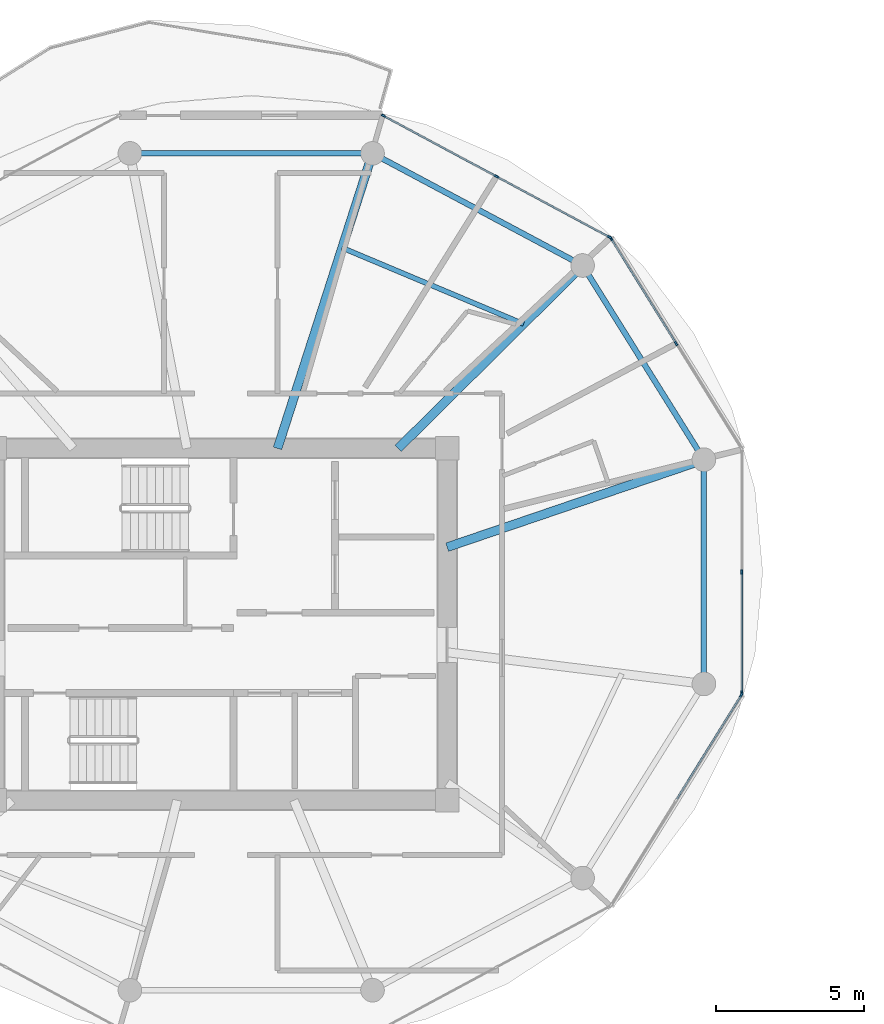
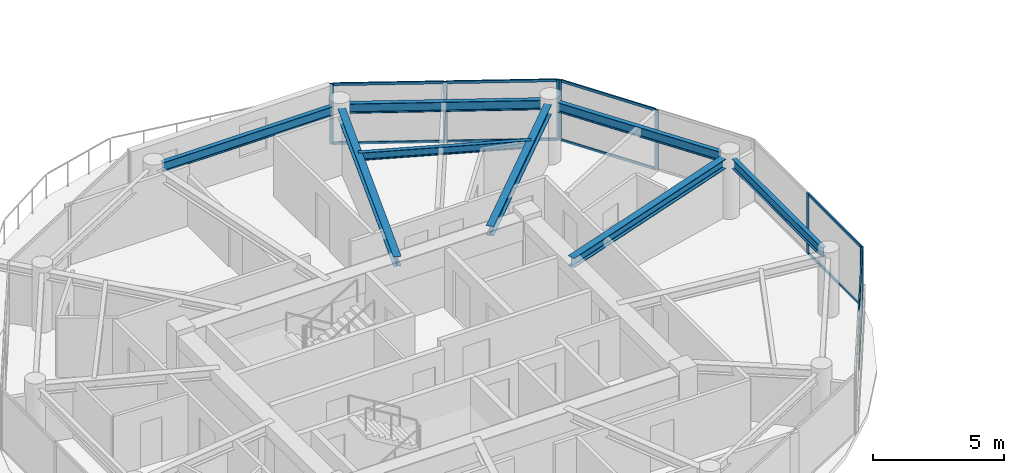
# One storey, part 5 of 24: 18 members, 8 beams, 4 elements without a shape of their own.
"""IFC4 building model written with IfcOpenShell, lengths in metres."""

from ifc_helpers import new_model, si_unit, direction, frame, origin, origin_2d, place, context, subcontext, project, spatial, rectangle, i_section, extrude, source, transform, mapped, material, layer, layer_set, material_profile, profile_set, type_object, type_shapes, element, aggregate, save


model = new_model("IFC4")

# Units and contexts
model_context = context("Model", 3, precision=1e-05, world=origin(), true_north=direction((0.0, 1.0)))
body_context = subcontext(model_context, "Body", "Model", "MODEL_VIEW")
ifc_project = project(units=[si_unit("LENGTHUNIT", "METRE"), si_unit("AREAUNIT", "SQUARE_METRE"), si_unit("VOLUMEUNIT", "CUBIC_METRE"), si_unit("PLANEANGLEUNIT", "RADIAN"), si_unit("MASSUNIT", "GRAM", prefix="KILO")], contexts=[model_context])

# Site, building, storey
site_placement = place(None, origin())
site = spatial("IfcSite", under=ifc_project, at=site_placement, CompositionType="ELEMENT")
building_placement = place(site_placement, origin())
building = spatial("IfcBuilding", under=site, at=building_placement, Name="Norrkilde Senior Care Towers", CompositionType="ELEMENT")
storey_placement = place(building_placement, frame((0.0, 0.0, 155.64990234375)))
storey = spatial("IfcBuildingStorey", under=building, at=storey_placement, Name="L48", CompositionType="ELEMENT", Elevation=155.64990234375)

# Beams
ifc_material_1 = material(Name="Steel S355", Category="steel")
ifc_material_profile_1 = material_profile(ifc_material_1, i_section(OverallWidth=0.18994140625, OverallDepth=0.449951171875, WebThickness=0.009521484375, FlangeThickness=0.0146484375, FilletRadius=0.02099609375, at=origin_2d()), Name="IPE 450")
ifc_profile_set_1 = profile_set([ifc_material_profile_1], Name="Steel S355")
beam_type_1 = type_object("IfcBeamType", Name="Perimeter Ring Spandrel Z3 IPE450", PredefinedType="SPANDREL", material=ifc_profile_set_1)
shared_shape_1 = source(origin(), body_context, "Body", "SweptSolid", [
    extrude(i_section(OverallWidth=0.18994140625, OverallDepth=0.449951171875, WebThickness=0.009521484375, FlangeThickness=0.0146484375, FilletRadius=0.02099609375, at=origin_2d()), origin(), (0.0, 0.0, 1.0), 7.0234375),
])
beam_1_placement = place(storey_placement, frame((-11.855712890625, 5.872314453125, 2.585205078125), z_axis=(-0.529789577822, 0.848129119433, 0.0), x_axis=(-0.848129119433, -0.529789577822, 0.0)))
element("IfcBeam", 1, at=beam_1_placement, inside=storey, type_object=beam_type_1, Name="L48 Drum W Perimeter Spandrel 01", PredefinedType="SPANDREL", context=body_context, shape_type="MappedRepresentation", body=[
    mapped(shared_shape_1, transform((0.0, 0.0, 0.0), x_axis=(1.0, 0.0, 0.0), y_axis=(0.0, 1.0, 0.0), z_axis=(0.0, 0.0, 1.0), scale=1.0)),
])
ifc_material_profile_2 = material_profile(ifc_material_1, i_section(OverallWidth=0.300048828125, OverallDepth=0.449951171875, WebThickness=0.013916015625, FlangeThickness=0.02587890625, FilletRadius=0.027099609375, at=origin_2d()), Name="HEB 450")
ifc_profile_set_2 = profile_set([ifc_material_profile_2], Name="Steel S355")
beam_type_2 = type_object("IfcBeamType", Name="Radial Floor Beam Z3 HEB450", PredefinedType="BEAM", material=ifc_profile_set_2)
shared_shape_2 = source(origin(), body_context, "Body", "SweptSolid", [
    extrude(i_section(OverallWidth=0.300048828125, OverallDepth=0.449951171875, WebThickness=0.013916015625, FlangeThickness=0.02587890625, FilletRadius=0.027099609375, at=origin_2d()), origin(), (0.0, 0.0, 1.0), 8.8154296875),
])
beam_2_placement = place(storey_placement, frame((-20.35009765625, 2.607177734375, 2.585205078125), z_axis=(0.946540556878, 0.322584832539, 0.0), x_axis=(-0.322584832539, 0.946540556878, 0.0)))
element("IfcBeam", 2, at=beam_2_placement, inside=storey, type_object=beam_type_2, Name="L48 Drum W Radial Floor Beam 01", PredefinedType="BEAM", context=body_context, shape_type="MappedRepresentation", body=[
    mapped(shared_shape_2, transform((0.0, 0.0, 0.0), x_axis=(1.0, 0.0, 0.0), y_axis=(0.0, 1.0, 0.0), z_axis=(0.0, 0.0, 1.0), scale=1.0)),
])
shared_shape_3 = source(origin(), body_context, "Body", "SweptSolid", [
    extrude(i_section(OverallWidth=0.18994140625, OverallDepth=0.449951171875, WebThickness=0.009521484375, FlangeThickness=0.0146484375, FilletRadius=0.02099609375, at=origin_2d()), origin(), (0.0, 0.0, 1.0), 7.333740234375),
])
beam_3_placement = place(storey_placement, frame((-16.0849609375, 12.303955078125, 2.585205078125), z_axis=(-0.882247866069, 0.470785198172, 0.0), x_axis=(-0.470785198172, -0.882247866069, 0.0)))
element("IfcBeam", 3, at=beam_3_placement, inside=storey, type_object=beam_type_1, Name="L48 Drum W Perimeter Spandrel 02", PredefinedType="SPANDREL", context=body_context, shape_type="MappedRepresentation", body=[
    mapped(shared_shape_3, transform((0.0, 0.0, 0.0), x_axis=(1.0, 0.0, 0.0), y_axis=(0.0, 1.0, 0.0), z_axis=(0.0, 0.0, 1.0), scale=1.0)),
])
shared_shape_4 = source(origin(), body_context, "Body", "SweptSolid", [
    extrude(i_section(OverallWidth=0.300048828125, OverallDepth=0.449951171875, WebThickness=0.013916015625, FlangeThickness=0.02587890625, FilletRadius=0.027099609375, at=origin_2d()), origin(), (0.0, 0.0, 1.0), 8.421630859375),
])
beam_4_placement = place(storey_placement, frame((-22.001953125, 5.949951171875, 2.585205078125), z_axis=(0.709956495972, 0.704245535184, 0.0), x_axis=(-0.704245535184, 0.709956495972, 0.0)))
element("IfcBeam", 4, at=beam_4_placement, inside=storey, type_object=beam_type_2, Name="L48 Drum W Radial Floor Beam 02", PredefinedType="BEAM", context=body_context, shape_type="MappedRepresentation", body=[
    mapped(shared_shape_4, transform((0.0, 0.0, 0.0), x_axis=(1.0, 0.0, 0.0), y_axis=(0.0, 1.0, 0.0), z_axis=(0.0, 0.0, 1.0), scale=1.0)),
])
shared_shape_5 = source(origin(), body_context, "Body", "SweptSolid", [
    extrude(i_section(OverallWidth=0.18994140625, OverallDepth=0.449951171875, WebThickness=0.009521484375, FlangeThickness=0.0146484375, FilletRadius=0.02099609375, at=origin_2d()), origin(), (0.0, 0.0, 1.0), 7.484619140625),
])
beam_5_placement = place(storey_placement, frame((-23.232666015625, 15.92626953125, 2.585205078125), z_axis=(-1.0, 0.0, 0.0), x_axis=(0.0, -1.0, 0.0)))
element("IfcBeam", 5, at=beam_5_placement, inside=storey, type_object=beam_type_1, Name="L48 Drum W Perimeter Spandrel 03", PredefinedType="SPANDREL", context=body_context, shape_type="MappedRepresentation", body=[
    mapped(shared_shape_5, transform((0.0, 0.0, 0.0), x_axis=(1.0, 0.0, 0.0), y_axis=(0.0, 1.0, 0.0), z_axis=(0.0, 0.0, 1.0), scale=1.0)),
])
shared_shape_6 = source(origin(), body_context, "Body", "SweptSolid", [
    extrude(i_section(OverallWidth=0.300048828125, OverallDepth=0.449951171875, WebThickness=0.013916015625, FlangeThickness=0.02587890625, FilletRadius=0.027099609375, at=origin_2d()), origin(), (0.0, 0.0, 1.0), 10.120361328125),
])
type_shapes(beam_type_2, [shared_shape_2, shared_shape_4, shared_shape_6])
beam_6_placement = place(storey_placement, frame((-26.08447265625, 5.949951171875, 2.585205078125), z_axis=(0.306440973744, 0.951889662519, 0.0), x_axis=(-0.951889662519, 0.306440973744, 0.0)))
element("IfcBeam", 6, at=beam_6_placement, inside=storey, type_object=beam_type_2, Name="L48 Drum W Radial Floor Beam 03", PredefinedType="BEAM", context=body_context, shape_type="MappedRepresentation", body=[
    mapped(shared_shape_6, transform((0.0, 0.0, 0.0), x_axis=(1.0, 0.0, 0.0), y_axis=(0.0, 1.0, 0.0), z_axis=(0.0, 0.0, 1.0), scale=1.0)),
])
shared_shape_7 = source(origin(), body_context, "Body", "SweptSolid", [
    extrude(i_section(OverallWidth=0.18994140625, OverallDepth=0.449951171875, WebThickness=0.009521484375, FlangeThickness=0.0146484375, FilletRadius=0.02099609375, at=origin_2d()), origin(), (0.0, 0.0, 1.0), 6.86328125),
])
type_shapes(beam_type_1, [shared_shape_1, shared_shape_3, shared_shape_5, shared_shape_7])
beam_7_placement = place(storey_placement, frame((-11.6650390625, -1.65625, 2.585205078125), z_axis=(0.0, 1.0, 0.0), x_axis=(-1.0, 0.0, 0.0)))
element("IfcBeam", 7, at=beam_7_placement, inside=storey, type_object=beam_type_1, Name="L48 Drum W Perimeter Spandrel 12", PredefinedType="SPANDREL", context=body_context, shape_type="MappedRepresentation", body=[
    mapped(shared_shape_7, transform((0.0, 0.0, 0.0), x_axis=(1.0, 0.0, 0.0), y_axis=(0.0, 1.0, 0.0), z_axis=(0.0, 0.0, 1.0), scale=1.0)),
])
ifc_material_profile_3 = material_profile(ifc_material_1, i_section(OverallWidth=0.169921875, OverallDepth=0.360107421875, WebThickness=0.008056640625, FlangeThickness=0.0126953125, FilletRadius=0.01806640625, at=origin_2d()), Name="IPE 360")
ifc_profile_set_3 = profile_set([ifc_material_profile_3], Name="Steel S355")
beam_type_3 = type_object("IfcBeamType", Name="Secondary Floor Joist IPE360", PredefinedType="JOIST", material=ifc_profile_set_3)
shared_shape_8 = source(origin(), body_context, "Body", "SweptSolid", [
    extrude(i_section(OverallWidth=0.169921875, OverallDepth=0.360107421875, WebThickness=0.008056640625, FlangeThickness=0.0126953125, FilletRadius=0.01806640625, at=origin_2d()), origin(), (0.0, 0.0, 1.0), 6.657470703125),
])
type_shapes(beam_type_3, [shared_shape_8])
beam_8_placement = place(storey_placement, frame((-17.762451171875, 10.155517578125, 2.630126953125), z_axis=(-0.921958799252, 0.387287971, 0.0), x_axis=(-0.387287971, -0.921958799252, 0.0)))
element("IfcBeam", 8, at=beam_8_placement, inside=storey, type_object=beam_type_3, Name="L48 Drum W Secondary Floor Joist 1", PredefinedType="JOIST", context=body_context, shape_type="MappedRepresentation", body=[
    mapped(shared_shape_8, transform((0.0, 0.0, 0.0), x_axis=(1.0, 0.0, 0.0), y_axis=(0.0, 1.0, 0.0), z_axis=(0.0, 0.0, 1.0), scale=1.0)),
])

# Curtain wall, members
ifc_material_2 = material(Name="Triple Low-E Insulated Glazing", Category="glass")
ifc_layer = layer(ifc_material_2, 0.18994140625)
ifc_layer_set = layer_set([ifc_layer], Name="Triple Low-E Insulated Glazing")
curtain_wall_type = type_object("IfcCurtainWallType", Name="CW4 Zone 3 Senior Residence Curtain Wall", PredefinedType="NOTDEFINED", material=ifc_layer_set)
curtain_wall_1_placement = place(storey_placement, origin())
curtain_wall_1 = element("IfcCurtainWall", 9, at=curtain_wall_1_placement, inside=storey, type_object=curtain_wall_type, Name="L48 Drum W Curtain Wall 00", PredefinedType="NOTDEFINED")
ifc_material_3 = material(Name="Anodised Aluminium", Category="aluminium")
ifc_material_profile_4 = material_profile(ifc_material_3, rectangle(XDim=0.06494140625, YDim=0.14990234375, at=origin_2d()), Name="ALU MULL 65x150")
ifc_profile_set_4 = profile_set([ifc_material_profile_4], Name="Anodised Aluminium")
member_type_1 = type_object("IfcMemberType", Name="Curtain Wall Mullion Z3-Z4 65x150", PredefinedType="MULLION", material=ifc_profile_set_4)
shared_shape_9 = source(origin(), body_context, "Body", "SweptSolid", [
    extrude(rectangle(XDim=0.06494140625, YDim=0.14990234375, at=origin_2d()), origin(), (0.0, 0.0, 1.0), 2.81005859375),
])
type_shapes(member_type_1, [shared_shape_9])
member_1_placement = place(storey_placement, frame((-14.809814453125, 13.04736328125, 0.0), z_axis=(0.0, 0.0, 1.0), x_axis=(0.84963405474, 0.52737270789, 0.0)))
member_1 = element("IfcMember", 10, at=member_1_placement, type_object=member_type_1, Name="CW-4 mullion 1", PredefinedType="MULLION", context=body_context, shape_type="MappedRepresentation", body=[
    mapped(shared_shape_9, transform((0.0, 0.0, 0.0), x_axis=(1.0, 0.0, 0.0), y_axis=(0.0, 1.0, 0.0), z_axis=(0.0, 0.0, 1.0), scale=1.0)),
])
member_2_placement = place(storey_placement, frame((-12.603759765625, 9.4931640625, 0.0), z_axis=(0.0, 0.0, 1.0), x_axis=(0.84963405474, 0.52737270789, 0.0)))
member_2 = element("IfcMember", 11, at=member_2_placement, type_object=member_type_1, Name="CW-4 mullion 2", PredefinedType="MULLION", context=body_context, shape_type="MappedRepresentation", body=[
    mapped(shared_shape_9, transform((0.0, 0.0, 0.0), x_axis=(1.0, 0.0, 0.0), y_axis=(0.0, 1.0, 0.0), z_axis=(0.0, 0.0, 1.0), scale=1.0)),
])

curtain_wall_2_placement = place(storey_placement, origin())
curtain_wall_2 = element("IfcCurtainWall", 12, at=curtain_wall_2_placement, inside=storey, type_object=curtain_wall_type, Name="L48 Drum W Curtain Wall 01", PredefinedType="NOTDEFINED")
member_3_placement = place(storey_placement, frame((-22.499755859375, 17.195556640625, 0.0), z_axis=(0.0, 0.0, 1.0), x_axis=(0.47311715104, 0.880999524059, 0.0)))
member_3 = element("IfcMember", 13, at=member_3_placement, type_object=member_type_1, Name="CW-4 mullion 1", PredefinedType="MULLION", context=body_context, shape_type="MappedRepresentation", body=[
    mapped(shared_shape_9, transform((0.0, 0.0, 0.0), x_axis=(1.0, 0.0, 0.0), y_axis=(0.0, 1.0, 0.0), z_axis=(0.0, 0.0, 1.0), scale=1.0)),
])
member_4_placement = place(storey_placement, frame((-18.677734375, 15.142822265625, 0.0), z_axis=(0.0, 0.0, 1.0), x_axis=(0.47311715104, 0.880999524059, 0.0)))
member_4 = element("IfcMember", 14, at=member_4_placement, type_object=member_type_1, Name="CW-4 mullion 2", PredefinedType="MULLION", context=body_context, shape_type="MappedRepresentation", body=[
    mapped(shared_shape_9, transform((0.0, 0.0, 0.0), x_axis=(1.0, 0.0, 0.0), y_axis=(0.0, 1.0, 0.0), z_axis=(0.0, 0.0, 1.0), scale=1.0)),
])
member_5_placement = place(storey_placement, frame((-14.85546875, 13.09033203125, 0.0), z_axis=(0.0, 0.0, 1.0), x_axis=(0.47311715104, 0.880999524059, 0.0)))
member_5 = element("IfcMember", 15, at=member_5_placement, type_object=member_type_1, Name="CW-4 mullion 3", PredefinedType="MULLION", context=body_context, shape_type="MappedRepresentation", body=[
    mapped(shared_shape_9, transform((0.0, 0.0, 0.0), x_axis=(1.0, 0.0, 0.0), y_axis=(0.0, 1.0, 0.0), z_axis=(0.0, 0.0, 1.0), scale=1.0)),
])

# Curtain wall, member
curtain_wall_3_placement = place(storey_placement, origin())
curtain_wall_3 = element("IfcCurtainWall", 16, at=curtain_wall_3_placement, inside=storey, type_object=curtain_wall_type, Name="L48 Drum W Curtain Wall 10", PredefinedType="NOTDEFINED")
member_6_placement = place(storey_placement, frame((-10.3974609375, -2.38818359375, 0.0), z_axis=(0.0, 0.0, 1.0), x_axis=(0.84963405474, -0.52737270789, 0.0)))
member_6 = element("IfcMember", 17, at=member_6_placement, type_object=member_type_1, Name="CW-4 mullion 1", PredefinedType="MULLION", context=body_context, shape_type="MappedRepresentation", body=[
    mapped(shared_shape_9, transform((0.0, 0.0, 0.0), x_axis=(1.0, 0.0, 0.0), y_axis=(0.0, 1.0, 0.0), z_axis=(0.0, 0.0, 1.0), scale=1.0)),
])

# Curtain wall, members
curtain_wall_4_placement = place(storey_placement, origin())
curtain_wall_4 = element("IfcCurtainWall", 18, at=curtain_wall_4_placement, inside=storey, type_object=curtain_wall_type, Name="L48 Drum W Curtain Wall 11", PredefinedType="NOTDEFINED")
member_7_placement = place(storey_placement, frame((-10.38037109375, 1.775390625, 0.0), z_axis=(0.0, 0.0, 1.0), x_axis=(1.0, 0.0, 0.0)))
member_7 = element("IfcMember", 19, at=member_7_placement, type_object=member_type_1, Name="CW-4 mullion 2", PredefinedType="MULLION", context=body_context, shape_type="MappedRepresentation", body=[
    mapped(shared_shape_9, transform((0.0, 0.0, 0.0), x_axis=(1.0, 0.0, 0.0), y_axis=(0.0, 1.0, 0.0), z_axis=(0.0, 0.0, 1.0), scale=1.0)),
])
member_8_placement = place(storey_placement, frame((-10.38037109375, -2.328125, 0.0), z_axis=(0.0, 0.0, 1.0), x_axis=(1.0, 0.0, 0.0)))
member_8 = element("IfcMember", 20, at=member_8_placement, type_object=member_type_1, Name="CW-4 mullion 3", PredefinedType="MULLION", context=body_context, shape_type="MappedRepresentation", body=[
    mapped(shared_shape_9, transform((0.0, 0.0, 0.0), x_axis=(1.0, 0.0, 0.0), y_axis=(0.0, 1.0, 0.0), z_axis=(0.0, 0.0, 1.0), scale=1.0)),
])

# Member
ifc_material_profile_5 = material_profile(ifc_material_3, rectangle(XDim=0.06005859375, YDim=0.1201171875, at=origin_2d()), Name="ALU TRAN 60x120")
ifc_profile_set_5 = profile_set([ifc_material_profile_5], Name="Anodised Aluminium")
member_type_2 = type_object("IfcMemberType", Name="Curtain Wall Transom Typical 60x120", PredefinedType="USERDEFINED", material=ifc_profile_set_5)
shared_shape_10 = source(origin(), body_context, "Body", "SweptSolid", [
    extrude(rectangle(XDim=0.06005859375, YDim=0.1201171875, at=origin_2d()), origin(), (0.0, 0.0, 1.0), 4.1181640625),
])
member_9_placement = place(storey_placement, frame((-14.792724609375, 13.019775390625, 0.030029296875), z_axis=(0.527374667286, -0.849632838528, 0.0), x_axis=(0.849632838528, 0.527374667286, 0.0)))
member_9 = element("IfcMember", 21, at=member_9_placement, type_object=member_type_2, Name="CW-4 transom 1.1", ObjectType="TRANSOM", PredefinedType="USERDEFINED", context=body_context, shape_type="MappedRepresentation", body=[
    mapped(shared_shape_10, transform((0.0, 0.0, 0.0), x_axis=(1.0, 0.0, 0.0), y_axis=(0.0, 1.0, 0.0), z_axis=(0.0, 0.0, 1.0), scale=1.0)),
])

member_10_placement = place(storey_placement, frame((-14.792724609375, 13.019775390625, 2.780029296875), z_axis=(0.527374667286, -0.849632838528, 0.0), x_axis=(0.849632838528, 0.527374667286, 0.0)))
member_10 = element("IfcMember", 22, at=member_10_placement, type_object=member_type_2, Name="CW-4 transom 1.2", ObjectType="TRANSOM", PredefinedType="USERDEFINED", context=body_context, shape_type="MappedRepresentation", body=[
    mapped(shared_shape_10, transform((0.0, 0.0, 0.0), x_axis=(1.0, 0.0, 0.0), y_axis=(0.0, 1.0, 0.0), z_axis=(0.0, 0.0, 1.0), scale=1.0)),
])

aggregate(curtain_wall_1, [member_1, member_2, member_9, member_10])

member_11_placement = place(storey_placement, frame((-10.414794921875, -2.415771484375, 0.030029296875), z_axis=(-0.527331870867, -0.849659401153, 0.0), x_axis=(0.849659401153, -0.527331870867, 0.0)))
member_11 = element("IfcMember", 23, at=member_11_placement, type_object=member_type_2, Name="CW-4 transom 1.1", ObjectType="TRANSOM", PredefinedType="USERDEFINED", context=body_context, shape_type="MappedRepresentation", body=[
    mapped(shared_shape_10, transform((0.0, 0.0, 0.0), x_axis=(1.0, 0.0, 0.0), y_axis=(0.0, 1.0, 0.0), z_axis=(0.0, 0.0, 1.0), scale=1.0)),
])

member_12_placement = place(storey_placement, frame((-10.414794921875, -2.415771484375, 2.780029296875), z_axis=(-0.527331870867, -0.849659401153, 0.0), x_axis=(0.849659401153, -0.527331870867, 0.0)))
member_12 = element("IfcMember", 24, at=member_12_placement, type_object=member_type_2, Name="CW-4 transom 1.2", ObjectType="TRANSOM", PredefinedType="USERDEFINED", context=body_context, shape_type="MappedRepresentation", body=[
    mapped(shared_shape_10, transform((0.0, 0.0, 0.0), x_axis=(1.0, 0.0, 0.0), y_axis=(0.0, 1.0, 0.0), z_axis=(0.0, 0.0, 1.0), scale=1.0)),
])

aggregate(curtain_wall_3, [member_6, member_11, member_12])

shared_shape_11 = source(origin(), body_context, "Body", "SweptSolid", [
    extrude(rectangle(XDim=0.06005859375, YDim=0.1201171875, at=origin_2d()), origin(), (0.0, 0.0, 1.0), 4.2734375),
])
member_13_placement = place(storey_placement, frame((-22.47119140625, 17.18017578125, 0.030029296875), z_axis=(0.880986050649, -0.47314223925, 0.0), x_axis=(0.47314223925, 0.880986050649, 0.0)))
member_13 = element("IfcMember", 25, at=member_13_placement, type_object=member_type_2, Name="CW-4 transom 1.1", ObjectType="TRANSOM", PredefinedType="USERDEFINED", context=body_context, shape_type="MappedRepresentation", body=[
    mapped(shared_shape_11, transform((0.0, 0.0, 0.0), x_axis=(1.0, 0.0, 0.0), y_axis=(0.0, 1.0, 0.0), z_axis=(0.0, 0.0, 1.0), scale=1.0)),
])

member_14_placement = place(storey_placement, frame((-22.47119140625, 17.18017578125, 2.780029296875), z_axis=(0.880986050649, -0.47314223925, 0.0), x_axis=(0.47314223925, 0.880986050649, 0.0)))
member_14 = element("IfcMember", 26, at=member_14_placement, type_object=member_type_2, Name="CW-4 transom 1.2", ObjectType="TRANSOM", PredefinedType="USERDEFINED", context=body_context, shape_type="MappedRepresentation", body=[
    mapped(shared_shape_11, transform((0.0, 0.0, 0.0), x_axis=(1.0, 0.0, 0.0), y_axis=(0.0, 1.0, 0.0), z_axis=(0.0, 0.0, 1.0), scale=1.0)),
])

member_15_placement = place(storey_placement, frame((-18.649169921875, 15.12744140625, 0.030029296875), z_axis=(0.881009863348, -0.473097897567, 0.0), x_axis=(0.473097897567, 0.881009863348, 0.0)))
member_15 = element("IfcMember", 27, at=member_15_placement, type_object=member_type_2, Name="CW-4 transom 2.1", ObjectType="TRANSOM", PredefinedType="USERDEFINED", context=body_context, shape_type="MappedRepresentation", body=[
    mapped(shared_shape_11, transform((0.0, 0.0, 0.0), x_axis=(1.0, 0.0, 0.0), y_axis=(0.0, 1.0, 0.0), z_axis=(0.0, 0.0, 1.0), scale=1.0)),
])

member_16_placement = place(storey_placement, frame((-18.649169921875, 15.12744140625, 2.780029296875), z_axis=(0.881009863348, -0.473097897567, 0.0), x_axis=(0.473097897567, 0.881009863348, 0.0)))
member_16 = element("IfcMember", 28, at=member_16_placement, type_object=member_type_2, Name="CW-4 transom 2.2", ObjectType="TRANSOM", PredefinedType="USERDEFINED", context=body_context, shape_type="MappedRepresentation", body=[
    mapped(shared_shape_11, transform((0.0, 0.0, 0.0), x_axis=(1.0, 0.0, 0.0), y_axis=(0.0, 1.0, 0.0), z_axis=(0.0, 0.0, 1.0), scale=1.0)),
])

aggregate(curtain_wall_2, [member_3, member_4, member_5, member_13, member_14, member_15, member_16])

shared_shape_12 = source(origin(), body_context, "Body", "SweptSolid", [
    extrude(rectangle(XDim=0.06005859375, YDim=0.1201171875, at=origin_2d()), origin(), (0.0, 0.0, 1.0), 4.03857421875),
])
type_shapes(member_type_2, [shared_shape_10, shared_shape_11, shared_shape_12])
member_17_placement = place(storey_placement, frame((-10.38037109375, 1.742919921875, 0.030029296875), z_axis=(0.0, -1.0, 0.0), x_axis=(1.0, 0.0, 0.0)))
member_17 = element("IfcMember", 29, at=member_17_placement, type_object=member_type_2, Name="CW-4 transom 2.1", ObjectType="TRANSOM", PredefinedType="USERDEFINED", context=body_context, shape_type="MappedRepresentation", body=[
    mapped(shared_shape_12, transform((0.0, 0.0, 0.0), x_axis=(1.0, 0.0, 0.0), y_axis=(0.0, 1.0, 0.0), z_axis=(0.0, 0.0, 1.0), scale=1.0)),
])

member_18_placement = place(storey_placement, frame((-10.38037109375, 1.742919921875, 2.780029296875), z_axis=(0.0, -1.0, 0.0), x_axis=(1.0, 0.0, 0.0)))
member_18 = element("IfcMember", 30, at=member_18_placement, type_object=member_type_2, Name="CW-4 transom 2.2", ObjectType="TRANSOM", PredefinedType="USERDEFINED", context=body_context, shape_type="MappedRepresentation", body=[
    mapped(shared_shape_12, transform((0.0, 0.0, 0.0), x_axis=(1.0, 0.0, 0.0), y_axis=(0.0, 1.0, 0.0), z_axis=(0.0, 0.0, 1.0), scale=1.0)),
])

aggregate(curtain_wall_4, [member_7, member_8, member_17, member_18])

save(model, "model.ifc")
